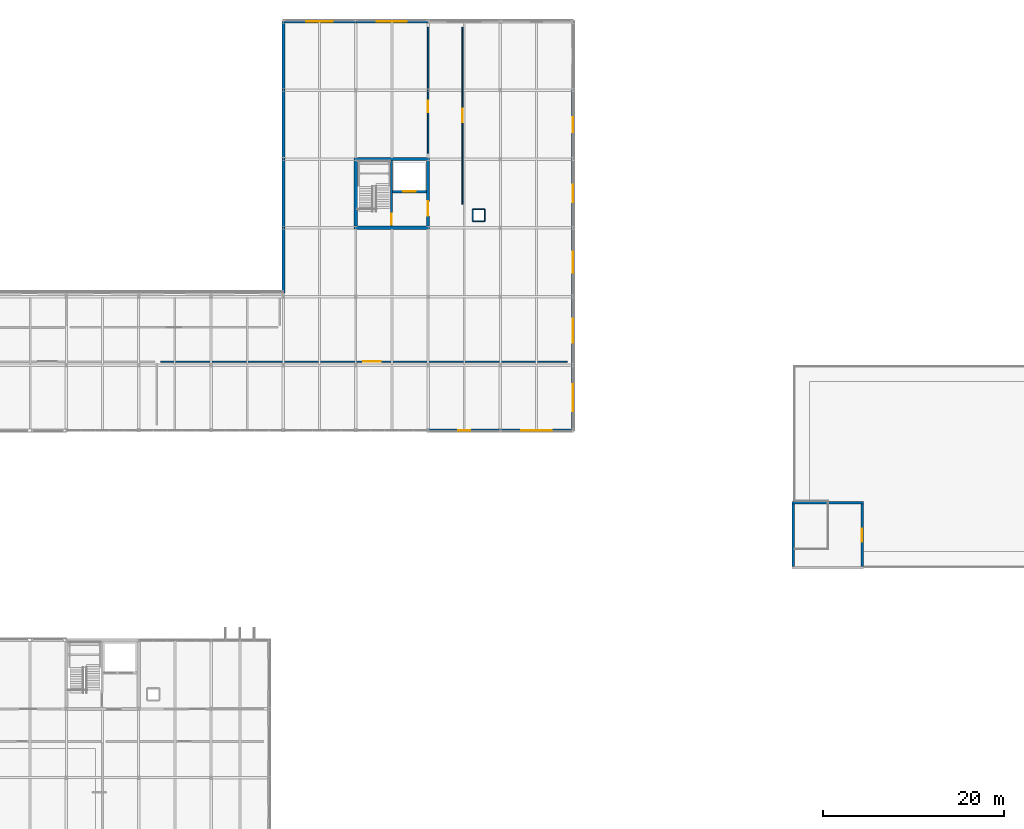
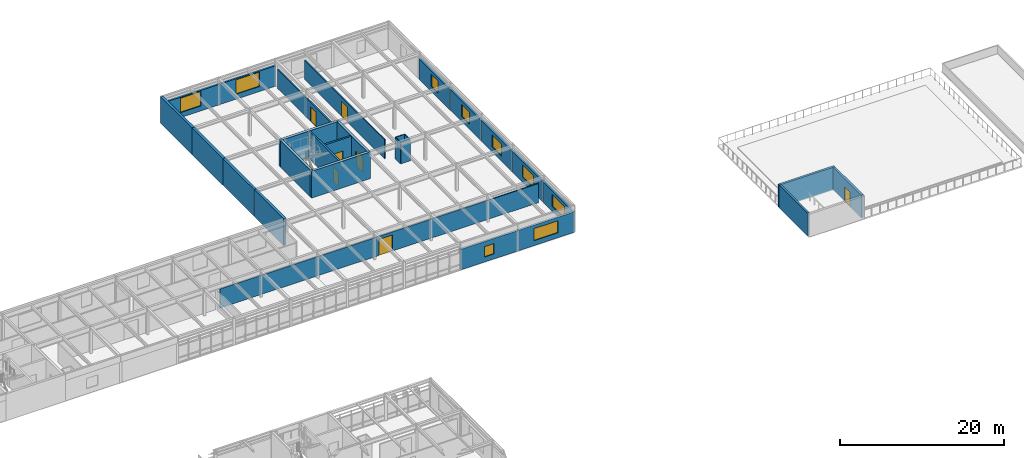
# One storey, part 34 of 45: 29 walls, 9 windows, 7 doors, 16 openings.
"""IFC4 building model written with IfcOpenShell, lengths in metres."""

from ifc_helpers import new_model, si_unit, direction, frame, frame_2d, origin, place, context, subcontext, project, spatial, rectangle, extrude, material, layer, layer_set, type_object, element, fill, save


model = new_model("IFC4")

# Units and contexts
model_context = context("Model", 3, precision=1e-05, world=origin(), true_north=direction((0.0, 1.0)))
body_context = subcontext(model_context, "Body", "Model", "MODEL_VIEW")
ifc_project = project(units=[si_unit("LENGTHUNIT", "METRE"), si_unit("AREAUNIT", "SQUARE_METRE"), si_unit("VOLUMEUNIT", "CUBIC_METRE"), si_unit("PLANEANGLEUNIT", "RADIAN"), si_unit("MASSUNIT", "GRAM", prefix="KILO")], contexts=[model_context])

# Site, building, storey
site_placement = place(None, origin())
site = spatial("IfcSite", under=ifc_project, at=site_placement, CompositionType="ELEMENT")
building_placement = place(site_placement, origin())
building = spatial("IfcBuilding", under=site, at=building_placement, Name="Zulena Civic Courthouse", CompositionType="ELEMENT")
storey_placement = place(building_placement, frame((0.0, 0.0, 29.39990234375)))
storey = spatial("IfcBuildingStorey", under=building, at=storey_placement, Name="L06", CompositionType="ELEMENT", Elevation=29.39990234375)

# Wall, opening, door
ifc_material_1 = material(Name="Concrete C40/50", Category="concrete")
ifc_layer_1 = layer(ifc_material_1, 0.25)
ifc_layer_set_1 = layer_set([ifc_layer_1], Name="Concrete C40/50")
wall_type_1 = type_object("IfcWallType", Name="CoreShearWall_RC250", PredefinedType="SHEAR", material=ifc_layer_set_1)
wall_1_placement = place(storey_placement, frame((79.949951171875, 68.574951171875, 0.0), z_axis=(0.0, 0.0, 1.0), x_axis=(0.0, 1.0, 0.0)))
wall_1 = element("IfcWall", 1, at=wall_1_placement, inside=storey, type_object=wall_type_1, Name="cwall:K5B:L06:DIV", PredefinedType="SHEAR", context=body_context, shape_type="SweptSolid", body=[
    extrude(rectangle(XDim=7.25, YDim=0.25, at=frame_2d((3.625, 0.0))), origin(), (0.0, 0.0, 1.0), 3.989990234375),
])
opening_1_placement = place(wall_1_placement, frame((0.179931640625, 0.0, 0.0)))
opening_1 = element("IfcOpeningElement", 2, at=opening_1_placement, cuts=wall_1, Name="Opening ID07", PredefinedType="OPENING", context=body_context, shape_type="SweptSolid", body=[
    extrude(rectangle(XDim=1.199951171875, YDim=2.199951171875, at=frame_2d((0.60009765625, 1.10009765625))), frame((0.0, 0.135009765625, 0.0), z_axis=(0.0, -1.0, 0.0), x_axis=(1.0, 0.0, 0.0)), (0.0, 0.0, 1.0), 0.27001953125),
])
ifc_material_2 = material(Name="Fire-rated galvanised steel ASTM A653 Grade 50", Category="steel")
door_type_1 = type_object("IfcDoorType", Name="IntDoor_Stair_1200x2200", OperationType="NOTDEFINED", PredefinedType="DOOR", material=ifc_material_2)
door_1_placement = place(opening_1_placement, origin())
door_1 = element("IfcDoor", 3, at=door_1_placement, inside=storey, type_object=door_type_1, Name="door:stair:K5B:L06", OperationType="SINGLE_SWING_LEFT", OverallHeight=2.199951171875, OverallWidth=1.199951171875, PredefinedType="DOOR", context=body_context, shape_type="SweptSolid", body=[
    extrude(rectangle(XDim=1.199951171875, YDim=2.199951171875, at=frame_2d((0.60009765625, 1.10009765625))), frame((0.0, 0.02490234375, 0.0), z_axis=(0.0, -1.0, 0.0), x_axis=(1.0, 0.0, 0.0)), (0.0, 0.0, 1.0), 0.050048828125),
])
fill(opening_1, door_1)

wall_2_placement = place(storey_placement, frame((80.074951171875, 72.39990234375, 0.0), z_axis=(0.0, 0.0, 1.0), x_axis=(1.0, 0.0, 0.0)))
wall_2 = element("IfcWall", 4, at=wall_2_placement, inside=storey, type_object=wall_type_1, Name="cwall:K5B:L06:SHF", PredefinedType="SHEAR", context=body_context, shape_type="SweptSolid", body=[
    extrude(rectangle(XDim=3.75, YDim=0.25, at=frame_2d((1.875, 0.0))), origin(), (0.0, 0.0, 1.0), 3.989990234375),
])
opening_2_placement = place(wall_2_placement, frame((1.195068359375, 0.0, 0.0)))
opening_2 = element("IfcOpeningElement", 5, at=opening_2_placement, cuts=wall_2, Name="Opening LD04", PredefinedType="OPENING", context=body_context, shape_type="SweptSolid", body=[
    extrude(rectangle(XDim=1.35009765625, YDim=2.199951171875, at=frame_2d((0.675048828125, 1.10009765625))), frame((0.0, 0.135009765625, 0.0), z_axis=(0.0, -1.0, 0.0), x_axis=(1.0, 0.0, 0.0)), (0.0, 0.0, 1.0), 0.27001953125),
])
door_type_2 = type_object("IfcDoorType", Name="LiftLandingDoor_Goods_1350x2300", OperationType="DOUBLE_DOOR_SLIDING", PredefinedType="DOOR", material=ifc_material_2)
door_2_placement = place(opening_2_placement, origin())
door_2 = element("IfcDoor", 6, at=door_2_placement, inside=storey, type_object=door_type_2, Name="door:ld:CL-02:L06", OperationType="DOUBLE_DOOR_SLIDING", OverallHeight=2.199951171875, OverallWidth=1.35009765625, PredefinedType="DOOR", context=body_context, shape_type="SweptSolid", body=[
    extrude(rectangle(XDim=1.35009765625, YDim=2.199951171875, at=frame_2d((0.675048828125, 1.10009765625))), frame((0.0, 0.02490234375, 0.0), z_axis=(0.0, -1.0, 0.0), x_axis=(1.0, 0.0, 0.0)), (0.0, 0.0, 1.0), 0.050048828125),
])
fill(opening_2, door_2)

# Walls
ifc_layer_2 = layer(ifc_material_1, 0.35009765625)
ifc_layer_set_2 = layer_set([ifc_layer_2], Name="Concrete C40/50")
wall_type_2 = type_object("IfcWallType", Name="CoreShearWall_RC350", PredefinedType="SHEAR", material=ifc_layer_set_2)
for number, where, z_axis, x_axis, name in (
    (7, (75.824951171875, 68.39990234375, 0.0), (0.0, 0.0, 1.0), (1.0, 0.0, 0.0), "cwall:K5B:L06:S"),
    (8, (75.824951171875, 76.0, 0.0), (0.0, 0.0, 1.0), (1.0, 0.0, 0.0), "cwall:K5B:L06:N"),
):
    element("IfcWall", number, at=place(storey_placement, frame(where, z_axis=z_axis, x_axis=x_axis)), inside=storey, type_object=wall_type_2, Name=name, PredefinedType="SHEAR", context=body_context, shape_type="SweptSolid", body=[
        extrude(rectangle(XDim=8.35009765625, YDim=0.35009765625, at=frame_2d((4.175048828125, 0.0))), origin(), (0.0, 0.0, 1.0), 3.989990234375),
    ])
wall_3_placement = place(storey_placement, frame((76.0, 68.574951171875, 0.0), z_axis=(0.0, 0.0, 1.0), x_axis=(0.0, 1.0, 0.0)))
element("IfcWall", 9, at=wall_3_placement, inside=storey, type_object=wall_type_2, Name="cwall:K5B:L06:W", PredefinedType="SHEAR", context=body_context, shape_type="SweptSolid", body=[
    extrude(rectangle(XDim=7.25, YDim=0.35009765625, at=frame_2d((3.625, 0.0))), origin(), (0.0, 0.0, 1.0), 3.989990234375),
])

# Wall, opening, door
wall_4_placement = place(storey_placement, frame((84.0, 68.574951171875, 0.0), z_axis=(0.0, 0.0, 1.0), x_axis=(0.0, 1.0, 0.0)))
wall_4 = element("IfcWall", 10, at=wall_4_placement, inside=storey, type_object=wall_type_2, Name="cwall:K5B:L06:E", PredefinedType="SHEAR", context=body_context, shape_type="SweptSolid", body=[
    extrude(rectangle(XDim=7.25, YDim=0.35009765625, at=frame_2d((3.625, 0.0))), origin(), (0.0, 0.0, 1.0), 3.989990234375),
])
opening_3_placement = place(wall_4_placement, frame((1.14990234375, 0.0, 0.0)))
opening_3 = element("IfcOpeningElement", 11, at=opening_3_placement, cuts=wall_4, Name="Opening ID04", PredefinedType="OPENING", context=body_context, shape_type="SweptSolid", body=[
    extrude(rectangle(XDim=1.60009765625, YDim=2.35009765625, at=frame_2d((0.800048828125, 1.175048828125))), frame((0.0, 0.18505859375, 0.0), z_axis=(0.0, -1.0, 0.0), x_axis=(1.0, 0.0, 0.0)), (0.0, 0.0, 1.0), 0.3701171875),
])
ifc_material_3 = material(Name="Solid-core acoustic hardwood timber", Category="wood")
door_type_3 = type_object("IfcDoorType", Name="IntDoor_CourtPublic_1600x2350", OperationType="DOUBLE_DOOR_SINGLE_SWING", PredefinedType="DOOR", material=ifc_material_3)
door_3_placement = place(opening_3_placement, origin())
door_3 = element("IfcDoor", 12, at=door_3_placement, inside=storey, type_object=door_type_3, Name="door:corelob:K5B:L06", OperationType="DOUBLE_DOOR_SINGLE_SWING", OverallHeight=2.35009765625, OverallWidth=1.60009765625, PredefinedType="DOOR", context=body_context, shape_type="SweptSolid", body=[
    extrude(rectangle(XDim=1.60009765625, YDim=2.35009765625, at=frame_2d((0.800048828125, 1.175048828125))), frame((0.0, 0.02490234375, 0.0), z_axis=(0.0, -1.0, 0.0), x_axis=(1.0, 0.0, 0.0)), (0.0, 0.0, 1.0), 0.050048828125),
])
fill(opening_3, door_3)

# Wall, opening, window
ifc_material_4 = material(Name="Buff architectural precast concrete C40/50", Category="concrete")
ifc_layer_3 = layer(ifc_material_4, 0.264892578125)
ifc_layer_set_3 = layer_set([ifc_layer_3], Name="Buff architectural precast concrete C40/50")
wall_type_3 = type_object("IfcWallType", Name="ExtWall_BuffPrecast_265", PredefinedType="STANDARD", material=ifc_layer_set_3)
wall_5_placement = place(storey_placement, frame((67.97998046875, 91.199951171875, 0.0), z_axis=(0.0, 0.0, 1.0), x_axis=(1.0, 0.0, 0.0)))
wall_5 = element("IfcWall", 13, at=wall_5_placement, inside=storey, type_object=wall_type_3, Name="ewall:V5:L06:3:0", PredefinedType="STANDARD", context=body_context, shape_type="SweptSolid", body=[
    extrude(rectangle(XDim=8.0400390625, YDim=0.264892578125, at=frame_2d((4.02001953125, 0.0))), origin(), (0.0, 0.0, 1.0), 3.06005859375),
])
opening_4_placement = place(wall_5_placement, frame((2.570068359375, 0.0, 0.75)))
opening_4 = element("IfcOpeningElement", 14, at=opening_4_placement, cuts=wall_5, Name="Opening WN13", PredefinedType="OPENING", context=body_context, shape_type="SweptSolid", body=[
    extrude(rectangle(XDim=2.89990234375, YDim=2.14990234375, at=frame_2d((1.449951171875, 1.074951171875))), frame((0.0, 0.142333984375, 0.0), z_axis=(0.0, -1.0, 0.0), x_axis=(1.0, 0.0, 0.0)), (0.0, 0.0, 1.0), 0.284912109375),
])
ifc_material_5 = material(Name="Double-silver low-E laminated solar-control glass", Category="glass")
window_type_1 = type_object("IfcWindowType", Name="Win_2900x2150", PartitioningType="DOUBLE_PANEL_VERTICAL", PredefinedType="WINDOW", material=ifc_material_5)
window_1_placement = place(opening_4_placement, origin())
window_1 = element("IfcWindow", 15, at=window_1_placement, inside=storey, type_object=window_type_1, Name="win:V5:L06:3:0", OverallHeight=2.14990234375, OverallWidth=2.89990234375, PartitioningType="SINGLE_PANEL", PredefinedType="WINDOW", context=body_context, shape_type="SweptSolid", body=[
    extrude(rectangle(XDim=2.89990234375, YDim=2.14990234375, at=frame_2d((1.449951171875, 1.074951171875))), frame((0.0, 0.030029296875, 0.0), z_axis=(0.0, -1.0, 0.0), x_axis=(1.0, 0.0, 0.0)), (0.0, 0.0, 1.0), 0.06005859375),
])
fill(opening_4, window_1)

wall_6_placement = place(storey_placement, frame((75.97998046875, 91.199951171875, 0.0), z_axis=(0.0, 0.0, 1.0), x_axis=(1.0, 0.0, 0.0)))
wall_6 = element("IfcWall", 16, at=wall_6_placement, inside=storey, type_object=wall_type_3, Name="ewall:V5:L06:3:1", PredefinedType="STANDARD", context=body_context, shape_type="SweptSolid", body=[
    extrude(rectangle(XDim=8.0400390625, YDim=0.264892578125, at=frame_2d((4.02001953125, 0.0))), origin(), (0.0, 0.0, 1.0), 3.06005859375),
])
opening_5_placement = place(wall_6_placement, frame((2.3701171875, 0.0, 0.75)))
opening_5 = element("IfcOpeningElement", 17, at=opening_5_placement, cuts=wall_6, Name="Opening WN14", PredefinedType="OPENING", context=body_context, shape_type="SweptSolid", body=[
    extrude(rectangle(XDim=3.300048828125, YDim=2.14990234375, at=frame_2d((1.64990234375, 1.074951171875))), frame((0.0, 0.142333984375, 0.0), z_axis=(0.0, -1.0, 0.0), x_axis=(1.0, 0.0, 0.0)), (0.0, 0.0, 1.0), 0.284912109375),
])
window_type_2 = type_object("IfcWindowType", Name="Win_3300x2150", PartitioningType="DOUBLE_PANEL_VERTICAL", PredefinedType="WINDOW", material=ifc_material_5)
window_2_placement = place(opening_5_placement, origin())
window_2 = element("IfcWindow", 18, at=window_2_placement, inside=storey, type_object=window_type_2, Name="win:V5:L06:3:1", OverallHeight=2.14990234375, OverallWidth=3.300048828125, PartitioningType="SINGLE_PANEL", PredefinedType="WINDOW", context=body_context, shape_type="SweptSolid", body=[
    extrude(rectangle(XDim=3.300048828125, YDim=2.14990234375, at=frame_2d((1.64990234375, 1.074951171875))), frame((0.0, 0.030029296875, 0.0), z_axis=(0.0, -1.0, 0.0), x_axis=(1.0, 0.0, 0.0)), (0.0, 0.0, 1.0), 0.06005859375),
])
fill(opening_5, window_2)

wall_7_placement = place(storey_placement, frame((100.0, 83.6201171875, 0.0), z_axis=(0.0, 0.0, 1.0), x_axis=(0.0, -1.0, 0.0)))
wall_7 = element("IfcWall", 19, at=wall_7_placement, inside=storey, type_object=wall_type_3, Name="ewall:V5:L06:4:1", PredefinedType="STANDARD", context=body_context, shape_type="SweptSolid", body=[
    extrude(rectangle(XDim=7.64013671875, YDim=0.264892578125, at=frame_2d((3.820068359375, 0.0))), origin(), (0.0, 0.0, 1.0), 3.06005859375),
])
opening_6_placement = place(wall_7_placement, frame((2.969970703125, 0.0, 0.75)))
opening_6 = element("IfcOpeningElement", 20, at=opening_6_placement, cuts=wall_7, Name="Opening WN18", PredefinedType="OPENING", context=body_context, shape_type="SweptSolid", body=[
    extrude(rectangle(XDim=1.699951171875, YDim=1.800048828125, at=frame_2d((0.85009765625, 0.89990234375))), frame((0.0, 0.142333984375, 0.0), z_axis=(0.0, -1.0, 0.0), x_axis=(1.0, 0.0, 0.0)), (0.0, 0.0, 1.0), 0.284912109375),
])
window_type_3 = type_object("IfcWindowType", Name="Win_1700x1800", PartitioningType="SINGLE_PANEL", PredefinedType="WINDOW", material=ifc_material_5)
window_3_placement = place(opening_6_placement, origin())
window_3 = element("IfcWindow", 21, at=window_3_placement, inside=storey, type_object=window_type_3, Name="win:V5:L06:4:1", OverallHeight=1.800048828125, OverallWidth=1.699951171875, PartitioningType="SINGLE_PANEL", PredefinedType="WINDOW", context=body_context, shape_type="SweptSolid", body=[
    extrude(rectangle(XDim=1.699951171875, YDim=1.800048828125, at=frame_2d((0.85009765625, 0.89990234375))), frame((0.0, 0.030029296875, 0.0), z_axis=(0.0, -1.0, 0.0), x_axis=(1.0, 0.0, 0.0)), (0.0, 0.0, 1.0), 0.06005859375),
])
fill(opening_6, window_3)

wall_8_placement = place(storey_placement, frame((100.0, 76.02001953125, 0.0), z_axis=(0.0, 0.0, 1.0), x_axis=(0.0, -1.0, 0.0)))
wall_8 = element("IfcWall", 22, at=wall_8_placement, inside=storey, type_object=wall_type_3, Name="ewall:V5:L06:4:2", PredefinedType="STANDARD", context=body_context, shape_type="SweptSolid", body=[
    extrude(rectangle(XDim=7.64013671875, YDim=0.264892578125, at=frame_2d((3.820068359375, 0.0))), origin(), (0.0, 0.0, 1.0), 3.06005859375),
])
opening_7_placement = place(wall_8_placement, frame((2.844970703125, 0.0, 0.75)))
opening_7 = element("IfcOpeningElement", 23, at=opening_7_placement, cuts=wall_8, Name="Opening WN19", PredefinedType="OPENING", context=body_context, shape_type="SweptSolid", body=[
    extrude(rectangle(XDim=1.949951171875, YDim=1.800048828125, at=frame_2d((0.97509765625, 0.89990234375))), frame((0.0, 0.142333984375, 0.0), z_axis=(0.0, -1.0, 0.0), x_axis=(1.0, 0.0, 0.0)), (0.0, 0.0, 1.0), 0.284912109375),
])
window_type_4 = type_object("IfcWindowType", Name="Win_1950x1800", PartitioningType="DOUBLE_PANEL_VERTICAL", PredefinedType="WINDOW", material=ifc_material_5)
window_4_placement = place(opening_7_placement, origin())
window_4 = element("IfcWindow", 24, at=window_4_placement, inside=storey, type_object=window_type_4, Name="win:V5:L06:4:2", OverallHeight=1.800048828125, OverallWidth=1.949951171875, PartitioningType="SINGLE_PANEL", PredefinedType="WINDOW", context=body_context, shape_type="SweptSolid", body=[
    extrude(rectangle(XDim=1.949951171875, YDim=1.800048828125, at=frame_2d((0.97509765625, 0.89990234375))), frame((0.0, 0.030029296875, 0.0), z_axis=(0.0, -1.0, 0.0), x_axis=(1.0, 0.0, 0.0)), (0.0, 0.0, 1.0), 0.06005859375),
])
fill(opening_7, window_4)

wall_9_placement = place(storey_placement, frame((100.0, 68.419921875, 0.0), z_axis=(0.0, 0.0, 1.0), x_axis=(0.0, -1.0, 0.0)))
wall_9 = element("IfcWall", 25, at=wall_9_placement, inside=storey, type_object=wall_type_3, Name="ewall:V5:L06:4:3", PredefinedType="STANDARD", context=body_context, shape_type="SweptSolid", body=[
    extrude(rectangle(XDim=7.639892578125, YDim=0.264892578125, at=frame_2d((3.81982421875, 0.0))), origin(), (0.0, 0.0, 1.0), 3.06005859375),
])
opening_8_placement = place(wall_9_placement, frame((2.669921875, 0.0, 0.75)))
opening_8 = element("IfcOpeningElement", 26, at=opening_8_placement, cuts=wall_9, Name="Opening WN20", PredefinedType="OPENING", context=body_context, shape_type="SweptSolid", body=[
    extrude(rectangle(XDim=2.300048828125, YDim=1.800048828125, at=frame_2d((1.14990234375, 0.89990234375))), frame((0.0, 0.142333984375, 0.0), z_axis=(0.0, -1.0, 0.0), x_axis=(1.0, 0.0, 0.0)), (0.0, 0.0, 1.0), 0.284912109375),
])
window_type_5 = type_object("IfcWindowType", Name="Win_2300x1800", PartitioningType="DOUBLE_PANEL_VERTICAL", PredefinedType="WINDOW", material=ifc_material_5)
window_5_placement = place(opening_8_placement, origin())
window_5 = element("IfcWindow", 27, at=window_5_placement, inside=storey, type_object=window_type_5, Name="win:V5:L06:4:3", OverallHeight=1.800048828125, OverallWidth=2.300048828125, PartitioningType="SINGLE_PANEL", PredefinedType="WINDOW", context=body_context, shape_type="SweptSolid", body=[
    extrude(rectangle(XDim=2.300048828125, YDim=1.800048828125, at=frame_2d((1.14990234375, 0.89990234375))), frame((0.0, 0.030029296875, 0.0), z_axis=(0.0, -1.0, 0.0), x_axis=(1.0, 0.0, 0.0)), (0.0, 0.0, 1.0), 0.06005859375),
])
fill(opening_8, window_5)

wall_10_placement = place(storey_placement, frame((100.0, 60.820068359375, 0.0), z_axis=(0.0, 0.0, 1.0), x_axis=(0.0, -1.0, 0.0)))
wall_10 = element("IfcWall", 28, at=wall_10_placement, inside=storey, type_object=wall_type_3, Name="ewall:V5:L06:4:4", PredefinedType="STANDARD", context=body_context, shape_type="SweptSolid", body=[
    extrude(rectangle(XDim=7.64013671875, YDim=0.264892578125, at=frame_2d((3.820068359375, 0.0))), origin(), (0.0, 0.0, 1.0), 3.06005859375),
])
opening_9_placement = place(wall_10_placement, frame((2.4951171875, 0.0, 0.75)))
opening_9 = element("IfcOpeningElement", 29, at=opening_9_placement, cuts=wall_10, Name="Opening WN21", PredefinedType="OPENING", context=body_context, shape_type="SweptSolid", body=[
    extrude(rectangle(XDim=2.64990234375, YDim=1.800048828125, at=frame_2d((1.324951171875, 0.89990234375))), frame((0.0, 0.142333984375, 0.0), z_axis=(0.0, -1.0, 0.0), x_axis=(1.0, 0.0, 0.0)), (0.0, 0.0, 1.0), 0.284912109375),
])
window_type_6 = type_object("IfcWindowType", Name="Win_2650x1800", PartitioningType="DOUBLE_PANEL_VERTICAL", PredefinedType="WINDOW", material=ifc_material_5)
window_6_placement = place(opening_9_placement, origin())
window_6 = element("IfcWindow", 30, at=window_6_placement, inside=storey, type_object=window_type_6, Name="win:V5:L06:4:4", OverallHeight=1.800048828125, OverallWidth=2.64990234375, PartitioningType="SINGLE_PANEL", PredefinedType="WINDOW", context=body_context, shape_type="SweptSolid", body=[
    extrude(rectangle(XDim=2.64990234375, YDim=1.800048828125, at=frame_2d((1.324951171875, 0.89990234375))), frame((0.0, 0.030029296875, 0.0), z_axis=(0.0, -1.0, 0.0), x_axis=(1.0, 0.0, 0.0)), (0.0, 0.0, 1.0), 0.06005859375),
])
fill(opening_9, window_6)

wall_11_placement = place(storey_placement, frame((100.0, 53.219970703125, 0.0), z_axis=(0.0, 0.0, 1.0), x_axis=(0.0, -1.0, 0.0)))
wall_11 = element("IfcWall", 31, at=wall_11_placement, inside=storey, type_object=wall_type_3, Name="ewall:V5:L06:4:5", PredefinedType="STANDARD", context=body_context, shape_type="SweptSolid", body=[
    extrude(rectangle(XDim=7.239990234375, YDim=0.264892578125, at=frame_2d((3.6201171875, 0.0))), origin(), (0.0, 0.0, 1.0), 3.06005859375),
])
opening_10_placement = place(wall_11_placement, frame((2.1201171875, 0.0, 0.75)))
opening_10 = element("IfcOpeningElement", 32, at=opening_10_placement, cuts=wall_11, Name="Opening WN22", PredefinedType="OPENING", context=body_context, shape_type="SweptSolid", body=[
    extrude(rectangle(XDim=3.0, YDim=1.800048828125, at=frame_2d((1.5, 0.89990234375))), frame((0.0, 0.142333984375, 0.0), z_axis=(0.0, -1.0, 0.0), x_axis=(1.0, 0.0, 0.0)), (0.0, 0.0, 1.0), 0.284912109375),
])
window_type_7 = type_object("IfcWindowType", Name="Win_3000x1800", PartitioningType="DOUBLE_PANEL_VERTICAL", PredefinedType="WINDOW", material=ifc_material_5)
window_7_placement = place(opening_10_placement, origin())
window_7 = element("IfcWindow", 33, at=window_7_placement, inside=storey, type_object=window_type_7, Name="win:V5:L06:4:5", OverallHeight=1.800048828125, OverallWidth=3.0, PartitioningType="SINGLE_PANEL", PredefinedType="WINDOW", context=body_context, shape_type="SweptSolid", body=[
    extrude(rectangle(XDim=3.0, YDim=1.800048828125, at=frame_2d((1.5, 0.89990234375))), frame((0.0, 0.030029296875, 0.0), z_axis=(0.0, -1.0, 0.0), x_axis=(1.0, 0.0, 0.0)), (0.0, 0.0, 1.0), 0.06005859375),
])
fill(opening_10, window_7)

wall_12_placement = place(storey_placement, frame((100.02001953125, 46.0, 0.0), z_axis=(0.0, 0.0, 1.0), x_axis=(-1.0, 0.0, 0.0)))
wall_12 = element("IfcWall", 34, at=wall_12_placement, inside=storey, type_object=wall_type_3, Name="ewall:V5:L06:5:0", PredefinedType="STANDARD", context=body_context, shape_type="SweptSolid", body=[
    extrude(rectangle(XDim=8.0400390625, YDim=0.264892578125, at=frame_2d((4.02001953125, 0.0))), origin(), (0.0, 0.0, 1.0), 3.06005859375),
])
opening_11_placement = place(wall_12_placement, frame((2.320068359375, 0.0, 0.75)))
opening_11 = element("IfcOpeningElement", 35, at=opening_11_placement, cuts=wall_12, Name="Opening WN23", PredefinedType="OPENING", context=body_context, shape_type="SweptSolid", body=[
    extrude(rectangle(XDim=3.39990234375, YDim=1.800048828125, at=frame_2d((1.699951171875, 0.89990234375))), frame((0.0, 0.142333984375, 0.0), z_axis=(0.0, -1.0, 0.0), x_axis=(1.0, 0.0, 0.0)), (0.0, 0.0, 1.0), 0.284912109375),
])
window_type_8 = type_object("IfcWindowType", Name="Win_3400x1800", PartitioningType="DOUBLE_PANEL_VERTICAL", PredefinedType="WINDOW", material=ifc_material_5)
window_8_placement = place(opening_11_placement, origin())
window_8 = element("IfcWindow", 36, at=window_8_placement, inside=storey, type_object=window_type_8, Name="win:V5:L06:5:0", OverallHeight=1.800048828125, OverallWidth=3.39990234375, PartitioningType="SINGLE_PANEL", PredefinedType="WINDOW", context=body_context, shape_type="SweptSolid", body=[
    extrude(rectangle(XDim=3.39990234375, YDim=1.800048828125, at=frame_2d((1.699951171875, 0.89990234375))), frame((0.0, 0.030029296875, 0.0), z_axis=(0.0, -1.0, 0.0), x_axis=(1.0, 0.0, 0.0)), (0.0, 0.0, 1.0), 0.06005859375),
])
fill(opening_11, window_8)

wall_13_placement = place(storey_placement, frame((92.02001953125, 46.0, 0.0), z_axis=(0.0, 0.0, 1.0), x_axis=(-1.0, 0.0, 0.0)))
wall_13 = element("IfcWall", 37, at=wall_13_placement, inside=storey, type_object=wall_type_3, Name="ewall:V5:L06:5:1", PredefinedType="STANDARD", context=body_context, shape_type="SweptSolid", body=[
    extrude(rectangle(XDim=8.0400390625, YDim=0.264892578125, at=frame_2d((4.02001953125, 0.0))), origin(), (0.0, 0.0, 1.0), 3.06005859375),
])
opening_12_placement = place(wall_13_placement, frame((3.3701171875, 0.0, 0.75)))
opening_12 = element("IfcOpeningElement", 38, at=opening_12_placement, cuts=wall_13, Name="Opening WN24", PredefinedType="OPENING", context=body_context, shape_type="SweptSolid", body=[
    extrude(rectangle(XDim=1.300048828125, YDim=1.550048828125, at=frame_2d((0.64990234375, 0.77490234375))), frame((0.0, 0.142333984375, 0.0), z_axis=(0.0, -1.0, 0.0), x_axis=(1.0, 0.0, 0.0)), (0.0, 0.0, 1.0), 0.284912109375),
])
window_type_9 = type_object("IfcWindowType", Name="Win_1300x1550", PartitioningType="SINGLE_PANEL", PredefinedType="WINDOW", material=ifc_material_5)
window_9_placement = place(opening_12_placement, origin())
window_9 = element("IfcWindow", 39, at=window_9_placement, inside=storey, type_object=window_type_9, Name="win:V5:L06:5:1", OverallHeight=1.550048828125, OverallWidth=1.300048828125, PartitioningType="SINGLE_PANEL", PredefinedType="WINDOW", context=body_context, shape_type="SweptSolid", body=[
    extrude(rectangle(XDim=1.300048828125, YDim=1.550048828125, at=frame_2d((0.64990234375, 0.77490234375))), frame((0.0, 0.030029296875, 0.0), z_axis=(0.0, -1.0, 0.0), x_axis=(1.0, 0.0, 0.0)), (0.0, 0.0, 1.0), 0.06005859375),
])
fill(opening_12, window_9)

# Walls
ifc_layer_4 = layer(ifc_material_1, 0.360107421875)
ifc_layer_set_4 = layer_set([ifc_layer_4], Name="Concrete C40/50")
wall_type_4 = type_object("IfcWallType", Name="ExtWall_PartyWall_360", PredefinedType="STANDARD", material=ifc_layer_set_4)
wall_14_placement = place(storey_placement, frame((68.0, 61.179931640625, 0.0), z_axis=(0.0, 0.0, 1.0), x_axis=(0.0, 1.0, 0.0)))
element("IfcWall", 40, at=wall_14_placement, inside=storey, type_object=wall_type_4, Name="ewall:V5:L06:2:0", PredefinedType="STANDARD", context=body_context, shape_type="SweptSolid", body=[
    extrude(rectangle(XDim=7.239990234375, YDim=0.360107421875, at=frame_2d((3.6201171875, 0.0))), origin(), (0.0, 0.0, 1.0), 4.0),
])
for number, where, z_axis, x_axis, name in (
    (41, (68.0, 68.3798828125, 0.0), (0.0, 0.0, 1.0), (0.0, 1.0, 0.0), "ewall:V5:L06:2:1"),
    (42, (68.0, 75.97998046875, 0.0), (0.0, 0.0, 1.0), (0.0, 1.0, 0.0), "ewall:V5:L06:2:2"),
):
    element("IfcWall", number, at=place(storey_placement, frame(where, z_axis=z_axis, x_axis=x_axis)), inside=storey, type_object=wall_type_4, Name=name, PredefinedType="STANDARD", context=body_context, shape_type="SweptSolid", body=[
        extrude(rectangle(XDim=7.64013671875, YDim=0.360107421875, at=frame_2d((3.820068359375, 0.0))), origin(), (0.0, 0.0, 1.0), 4.0),
    ])
wall_15_placement = place(storey_placement, frame((68.0, 83.580078125, 0.0), z_axis=(0.0, 0.0, 1.0), x_axis=(0.0, 1.0, 0.0)))
element("IfcWall", 43, at=wall_15_placement, inside=storey, type_object=wall_type_4, Name="ewall:V5:L06:2:3", PredefinedType="STANDARD", context=body_context, shape_type="SweptSolid", body=[
    extrude(rectangle(XDim=7.639892578125, YDim=0.360107421875, at=frame_2d((3.81982421875, 0.0))), origin(), (0.0, 0.0, 1.0), 4.0),
])
ifc_material_6 = material(Name="Travertine-cream architectural precast concrete C40/50", Category="masonry")
ifc_layer_5 = layer(ifc_material_6, 0.280029296875)
ifc_layer_set_5 = layer_set([ifc_layer_5], Name="Travertine-cream architectural precast concrete C40/50")
wall_type_5 = type_object("IfcWallType", Name="ExtWall_TravPrecast_280", PredefinedType="STANDARD", material=ifc_layer_set_5)
wall_16_placement = place(storey_placement, frame((124.260009765625, 38.0, 0.0), z_axis=(0.0, 0.0, 1.0), x_axis=(1.0, 0.0, 0.0)))
element("IfcWall", 44, at=wall_16_placement, inside=storey, type_object=wall_type_5, Name="ewall:hh:TR-V3-L06:N", PredefinedType="STANDARD", context=body_context, shape_type="SweptSolid", body=[
    extrude(rectangle(XDim=7.8798828125, YDim=0.280029296875, at=frame_2d((3.93994140625, 0.0))), origin(), (0.0, 0.0, 1.0), 3.400146484375),
])

# Wall, opening, door
wall_17_placement = place(storey_placement, frame((132.0, 37.860107421875, 0.0), z_axis=(0.0, 0.0, 1.0), x_axis=(0.0, -1.0, 0.0)))
wall_17 = element("IfcWall", 45, at=wall_17_placement, inside=storey, type_object=wall_type_5, Name="ewall:hh:TR-V3-L06:E", PredefinedType="STANDARD", context=body_context, shape_type="SweptSolid", body=[
    extrude(rectangle(XDim=6.920166015625, YDim=0.280029296875, at=frame_2d((3.4599609375, 0.0))), origin(), (0.0, 0.0, 1.0), 3.400146484375),
])
opening_13_placement = place(wall_17_placement, frame((2.760009765625, 0.0, 0.0)))
opening_13 = element("IfcOpeningElement", 46, at=opening_13_placement, cuts=wall_17, Name="Opening TD03", PredefinedType="OPENING", context=body_context, shape_type="SweptSolid", body=[
    extrude(rectangle(XDim=1.39990234375, YDim=2.199951171875, at=frame_2d((0.699951171875, 1.10009765625))), frame((0.0, 0.14990234375, 0.0), z_axis=(0.0, -1.0, 0.0), x_axis=(1.0, 0.0, 0.0)), (0.0, 0.0, 1.0), 0.300048828125),
])
ifc_material_7 = material(Name="Galvanised architectural steel ASTM A653 Grade 50", Category="steel")
door_type_4 = type_object("IfcDoorType", Name="ExtDoor_Terrace_1400x2200", OperationType="DOUBLE_DOOR_SINGLE_SWING", PredefinedType="DOOR", material=ifc_material_7)
door_4_placement = place(opening_13_placement, origin())
door_4 = element("IfcDoor", 47, at=door_4_placement, inside=storey, type_object=door_type_4, Name="door:terrace:TR-V3-L06", OperationType="DOUBLE_DOOR_SINGLE_SWING", OverallHeight=2.199951171875, OverallWidth=1.39990234375, PredefinedType="DOOR", context=body_context, shape_type="SweptSolid", body=[
    extrude(rectangle(XDim=1.39990234375, YDim=2.199951171875, at=frame_2d((0.699951171875, 1.10009765625))), frame((0.0, 0.02490234375, 0.0), z_axis=(0.0, -1.0, 0.0), x_axis=(1.0, 0.0, 0.0)), (0.0, 0.0, 1.0), 0.050048828125),
])
fill(opening_13, door_4)

# Wall
wall_18_placement = place(storey_placement, frame((124.39990234375, 30.93994140625, 0.0), z_axis=(0.0, 0.0, 1.0), x_axis=(0.0, 1.0, 0.0)))
element("IfcWall", 48, at=wall_18_placement, inside=storey, type_object=wall_type_5, Name="ewall:hh:TR-V3-L06:W", PredefinedType="STANDARD", context=body_context, shape_type="SweptSolid", body=[
    extrude(rectangle(XDim=6.920166015625, YDim=0.280029296875, at=frame_2d((3.4599609375, 0.0))), origin(), (0.0, 0.0, 1.0), 3.400146484375),
])

# Wall, opening, door
ifc_material_8 = material(Name="Acoustic fire-rated gypsum board assembly", Category="masonry")
ifc_layer_6 = layer(ifc_material_8, 0.14599609375)
ifc_layer_set_6 = layer_set([ifc_layer_6], Name="Acoustic fire-rated gypsum board assembly")
wall_type_6 = type_object("IfcWallType", Name="PartWall_Chambers_146", PredefinedType="PARTITIONING", material=ifc_layer_set_6)
wall_19_placement = place(storey_placement, frame((54.419921875, 53.60009765625, 0.0), z_axis=(0.0, 0.0, 1.0), x_axis=(1.0, 0.0, 0.0)))
wall_19 = element("IfcWall", 49, at=wall_19_placement, inside=storey, type_object=wall_type_6, Name="pwall:L06:422:0", PredefinedType="PARTITIONING", context=body_context, shape_type="SweptSolid", body=[
    extrude(rectangle(XDim=44.9599609375, YDim=0.14599609375, at=frame_2d((22.47998046875, 0.0))), origin(), (0.0, 0.0, 1.0), 2.85009765625),
])
opening_14_placement = place(wall_19_placement, frame((22.429931640625, 0.0, 0.0)))
opening_14 = element("IfcOpeningElement", 50, at=opening_14_placement, cuts=wall_19, Name="Opening ID02", PredefinedType="OPENING", context=body_context, shape_type="SweptSolid", body=[
    extrude(rectangle(XDim=1.89990234375, YDim=2.39990234375, at=frame_2d((0.949951171875, 1.199951171875))), frame((0.0, 0.0830078125, 0.0), z_axis=(0.0, -1.0, 0.0), x_axis=(1.0, 0.0, 0.0)), (0.0, 0.0, 1.0), 0.166015625),
])
door_type_5 = type_object("IfcDoorType", Name="IntDoor_CourtPublic_1900x2400", OperationType="DOUBLE_DOOR_SINGLE_SWING", PredefinedType="DOOR", material=ifc_material_3)
door_5_placement = place(opening_14_placement, origin())
door_5 = element("IfcDoor", 51, at=door_5_placement, inside=storey, type_object=door_type_5, Name="door:rm:L06:422", OperationType="DOUBLE_DOOR_SINGLE_SWING", OverallHeight=2.39990234375, OverallWidth=1.89990234375, PredefinedType="DOOR", context=body_context, shape_type="SweptSolid", body=[
    extrude(rectangle(XDim=1.89990234375, YDim=2.39990234375, at=frame_2d((0.949951171875, 1.199951171875))), frame((0.0, 0.02490234375, 0.0), z_axis=(0.0, -1.0, 0.0), x_axis=(1.0, 0.0, 0.0)), (0.0, 0.0, 1.0), 0.050048828125),
])
fill(opening_14, door_5)

wall_20_placement = place(storey_placement, frame((87.800048828125, 71.02001953125, 0.0), z_axis=(0.0, 0.0, 1.0), x_axis=(0.0, 1.0, 0.0)))
wall_20 = element("IfcWall", 52, at=wall_20_placement, inside=storey, type_object=wall_type_6, Name="pwall:L06:425:0", PredefinedType="PARTITIONING", context=body_context, shape_type="SweptSolid", body=[
    extrude(rectangle(XDim=19.56005859375, YDim=0.14599609375, at=frame_2d((9.780029296875, 0.0))), origin(), (0.0, 0.0, 1.0), 2.85009765625),
])
opening_15_placement = place(wall_20_placement, frame((9.030029296875, 0.0, 0.0)))
opening_15 = element("IfcOpeningElement", 53, at=opening_15_placement, cuts=wall_20, Name="Opening ID05", PredefinedType="OPENING", context=body_context, shape_type="SweptSolid", body=[
    extrude(rectangle(XDim=1.5, YDim=2.199951171875, at=frame_2d((0.75, 1.10009765625))), frame((0.0, 0.0830078125, 0.0), z_axis=(0.0, -1.0, 0.0), x_axis=(1.0, 0.0, 0.0)), (0.0, 0.0, 1.0), 0.166015625),
])
door_type_6 = type_object("IfcDoorType", Name="IntDoor_FFLobby_1500x2200", OperationType="DOUBLE_DOOR_SINGLE_SWING", PredefinedType="DOOR", material=ifc_material_2)
door_6_placement = place(opening_15_placement, origin())
door_6 = element("IfcDoor", 54, at=door_6_placement, inside=storey, type_object=door_type_6, Name="door:rm:L06:425", OperationType="DOUBLE_DOOR_SINGLE_SWING", OverallHeight=2.199951171875, OverallWidth=1.5, PredefinedType="DOOR", context=body_context, shape_type="SweptSolid", body=[
    extrude(rectangle(XDim=1.5, YDim=2.199951171875, at=frame_2d((0.75, 1.10009765625))), frame((0.0, 0.02490234375, 0.0), z_axis=(0.0, -1.0, 0.0), x_axis=(1.0, 0.0, 0.0)), (0.0, 0.0, 1.0), 0.050048828125),
])
fill(opening_15, door_6)

ifc_layer_7 = layer(ifc_material_8, 0.177978515625)
ifc_layer_set_7 = layer_set([ifc_layer_7], Name="Acoustic fire-rated gypsum board assembly")
wall_type_7 = type_object("IfcWallType", Name="PartWall_Corridor_178", PredefinedType="PARTITIONING", material=ifc_layer_set_7)
wall_21_placement = place(storey_placement, frame((84.0, 76.6201171875, 0.0), z_axis=(0.0, 0.0, 1.0), x_axis=(0.0, 1.0, 0.0)))
wall_21 = element("IfcWall", 55, at=wall_21_placement, inside=storey, type_object=wall_type_7, Name="pwall:L06:426:0", PredefinedType="PARTITIONING", context=body_context, shape_type="SweptSolid", body=[
    extrude(rectangle(XDim=13.9599609375, YDim=0.177978515625, at=frame_2d((6.97998046875, 0.0))), origin(), (0.0, 0.0, 1.0), 2.85009765625),
])
opening_16_placement = place(wall_21_placement, frame((4.554931640625, 0.0, 0.0)))
opening_16 = element("IfcOpeningElement", 56, at=opening_16_placement, cuts=wall_21, Name="Opening ID06", PredefinedType="OPENING", context=body_context, shape_type="SweptSolid", body=[
    extrude(rectangle(XDim=1.25, YDim=2.199951171875, at=frame_2d((0.625, 1.10009765625))), frame((0.0, 0.098876953125, 0.0), z_axis=(0.0, -1.0, 0.0), x_axis=(1.0, 0.0, 0.0)), (0.0, 0.0, 1.0), 0.197998046875),
])
door_type_7 = type_object("IfcDoorType", Name="IntDoor_Stair_1250x2200", OperationType="NOTDEFINED", PredefinedType="DOOR", material=ifc_material_2)
door_7_placement = place(opening_16_placement, origin())
door_7 = element("IfcDoor", 57, at=door_7_placement, inside=storey, type_object=door_type_7, Name="door:rm:L06:426", OperationType="SINGLE_SWING_RIGHT", OverallHeight=2.199951171875, OverallWidth=1.25, PredefinedType="DOOR", context=body_context, shape_type="SweptSolid", body=[
    extrude(rectangle(XDim=1.25, YDim=2.199951171875, at=frame_2d((0.625, 1.10009765625))), frame((0.0, 0.02490234375, 0.0), z_axis=(0.0, -1.0, 0.0), x_axis=(1.0, 0.0, 0.0)), (0.0, 0.0, 1.0), 0.050048828125),
])
fill(opening_16, door_7)

# Walls
ifc_material_9 = material(Name="Insulated blockwork masonry ASTM C90", Category="masonry")
ifc_layer_8 = layer(ifc_material_9, 0.114990234375)
ifc_layer_set_8 = layer_set([ifc_layer_8], Name="Insulated blockwork masonry ASTM C90")
wall_type_8 = type_object("IfcWallType", Name="PartWall_Riser_115", PredefinedType="PARTITIONING", material=ifc_layer_set_8)
for number, where, z_axis, x_axis, name in (
    (58, (88.93994140625, 69.139892578125, 0.0), (0.0, 0.0, 1.0), (1.0, 0.0, 0.0), "riser:RS-V5N:L06:0"),
    (59, (90.260009765625, 69.139892578125, 0.0), (0.0, 0.0, 1.0), (0.0, 1.0, 0.0), "riser:RS-V5N:L06:1"),
    (60, (90.260009765625, 70.4599609375, 0.0), (0.0, 0.0, 1.0), (-1.0, 0.0, 0.0), "riser:RS-V5N:L06:2"),
    (61, (88.93994140625, 70.4599609375, 0.0), (0.0, 0.0, 1.0), (0.0, -1.0, 0.0), "riser:RS-V5N:L06:3"),
):
    element("IfcWall", number, at=place(storey_placement, frame(where, z_axis=z_axis, x_axis=x_axis)), inside=storey, type_object=wall_type_8, Name=name, PredefinedType="PARTITIONING", context=body_context, shape_type="SweptSolid", body=[
        extrude(rectangle(XDim=1.320068359375, YDim=0.114990234375, at=frame_2d((0.66015625, 0.0))), origin(), (0.0, 0.0, 1.0), 3.150146484375),
    ])

save(model, "model.ifc")
